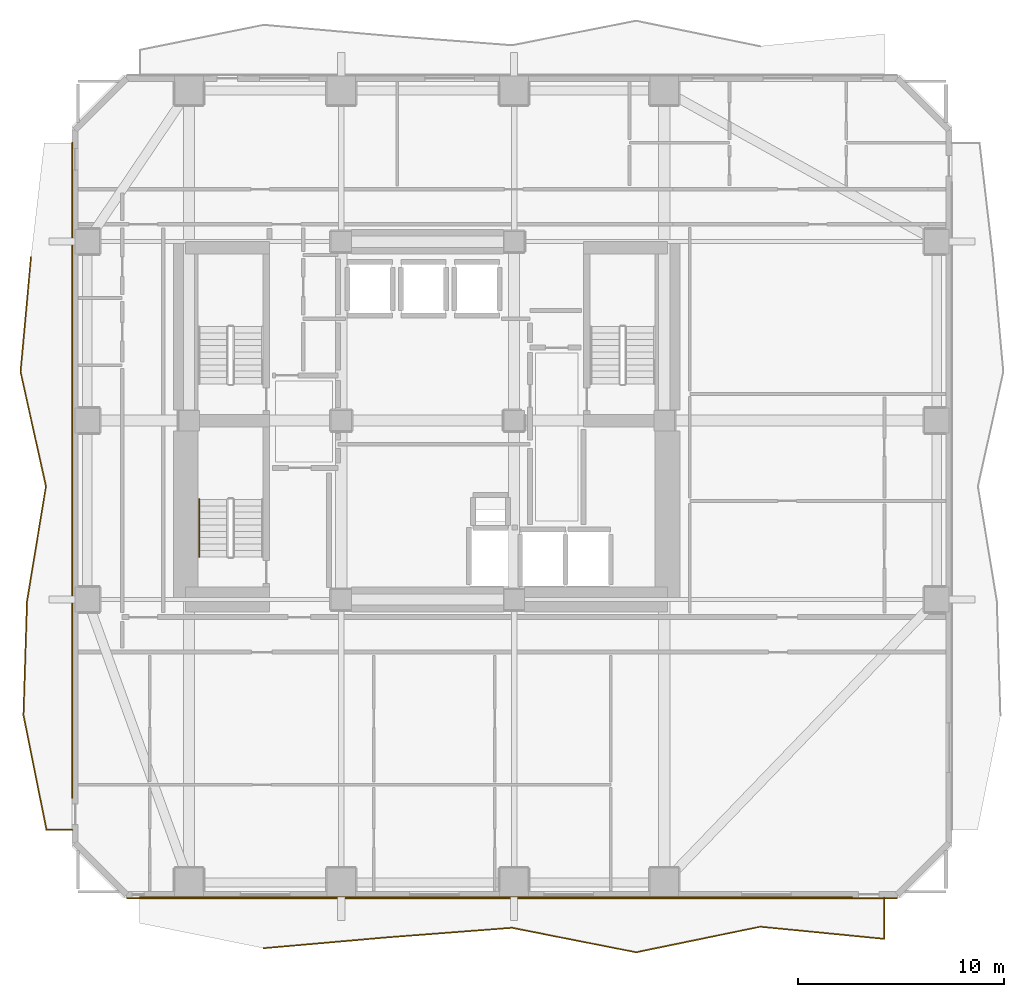
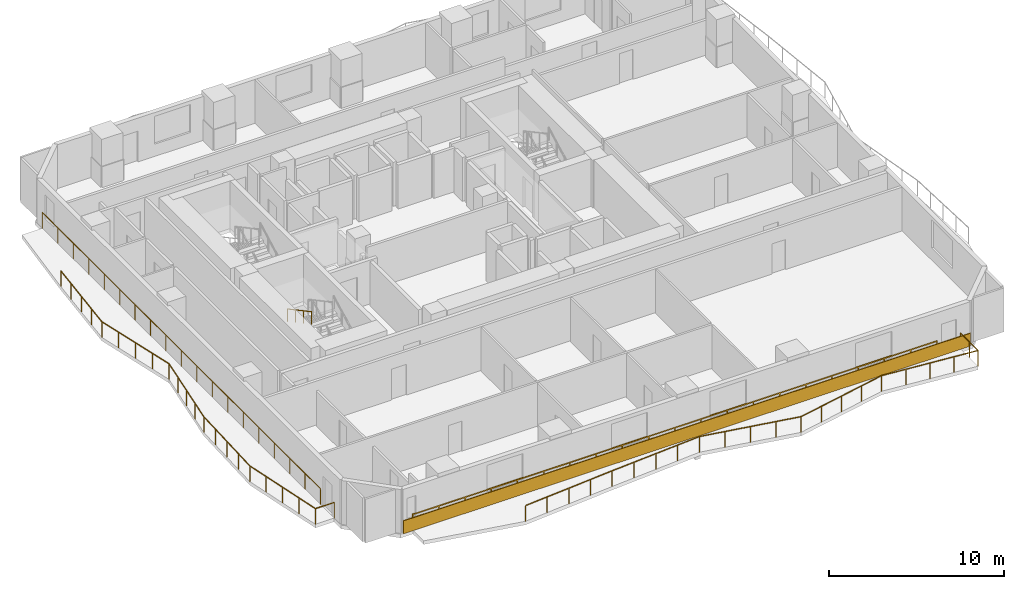
# One storey, part 7 of 9: 5 railings, 1 covering.
"""IFC4 building model written with IfcOpenShell, lengths in metres."""

from ifc_helpers import new_model, si_unit, direction, frame, frame_2d, origin, origin_2d, place, context, subcontext, project, spatial, rectangle, extrude, material, layer, layer_set, type_object, element, save


model = new_model("IFC4")

# Units and contexts
model_context = context("Model", 3, precision=1e-05, world=origin(), true_north=direction((0.0, 1.0)))
body_context = subcontext(model_context, "Body", "Model", "MODEL_VIEW")
ifc_project = project(units=[si_unit("LENGTHUNIT", "METRE"), si_unit("AREAUNIT", "SQUARE_METRE"), si_unit("VOLUMEUNIT", "CUBIC_METRE"), si_unit("PLANEANGLEUNIT", "RADIAN"), si_unit("MASSUNIT", "GRAM", prefix="KILO")], contexts=[model_context])

# Site, building, storey
site_placement = place(None, origin())
site = spatial("IfcSite", under=ifc_project, at=site_placement, CompositionType="ELEMENT")
building_placement = place(site_placement, origin())
building = spatial("IfcBuilding", under=site, at=building_placement, Name="Solanera Arch Residences", CompositionType="ELEMENT")
storey_placement = place(building_placement, frame((0.0, 0.0, 55.199951171875)))
storey = spatial("IfcBuildingStorey", under=building, at=storey_placement, Name="L15", CompositionType="ELEMENT", Elevation=55.199951171875)

# Railings
ifc_material_1 = material(Name="Steel S355 (ASTM A992 / A572 Grade 50)", Category="steel")
railing_type_1 = type_object("IfcRailingType", Name="Balustrade Railing BL-1100", PredefinedType="BALUSTRADE", material=ifc_material_1)
railing_1_placement = place(storey_placement, frame((17.032958984375, 5.051025390625, 0.0)))
element("IfcRailing", 1, at=railing_1_placement, inside=storey, type_object=railing_type_1, Name="L15 S Balcony Balustrade 1", PredefinedType="BALUSTRADE", context=body_context, shape_type="SweptSolid", body=[
    extrude(rectangle(XDim=0.048095703125, YDim=0.048095703125, at=origin_2d()), frame((0.0, 0.0, 1.09619140625), z_axis=(0.996192186057, 0.087184450675, 0.0), x_axis=(-0.087184450675, 0.996192186057, 0.0)), (0.0, 0.0, 1.0), 6.056884765625),
    extrude(rectangle(XDim=0.048095703125, YDim=0.048095703125, at=origin_2d()), frame((6.033935546875, 0.528076171875, 1.09619140625), z_axis=(0.997069655629, 0.076499031526, 0.0), x_axis=(-0.076499031526, 0.997069655629, 0.0)), (0.0, 0.0, 1.0), 6.051025390625),
    extrude(rectangle(XDim=0.048095703125, YDim=0.048095703125, at=origin_2d()), frame((12.067138671875, 0.990966796875, 1.09619140625), z_axis=(0.981067775795, -0.193664708443, 0.0), x_axis=(0.193664708443, 0.981067775795, 0.0)), (0.0, 0.0, 1.0), 6.1494140625),
    extrude(rectangle(XDim=0.048095703125, YDim=0.048095703125, at=origin_2d()), frame((18.10009765625, -0.199951171875, 1.09619140625), z_axis=(0.979436549393, 0.201752436697, 0.0), x_axis=(-0.201752436697, 0.979436549393, 0.0)), (0.0, 0.0, 1.0), 6.16064453125),
    extrude(rectangle(XDim=0.048095703125, YDim=0.048095703125, at=origin_2d()), frame((24.134033203125, 1.04296875, 1.09619140625), z_axis=(0.995250585259, -0.097346148054, 0.0), x_axis=(0.097346148054, 0.995250585259, 0.0)), (0.0, 0.0, 1.0), 6.061767578125),
    extrude(rectangle(XDim=0.048095703125, YDim=0.048095703125, at=origin_2d()), frame((30.1669921875, 0.452880859375, 1.09619140625), z_axis=(0.0, 1.0, 0.0), x_axis=(-1.0, 0.0, 0.0)), (0.0, 0.0, 1.0), 2.01611328125),
    extrude(rectangle(XDim=0.0419921875, YDim=0.0419921875, at=origin_2d()), origin(), (0.0, 0.0, 1.0), 1.072021484375),
    extrude(rectangle(XDim=0.0419921875, YDim=0.0419921875, at=origin_2d()), frame((1.508544921875, 0.132080078125, 0.0)), (0.0, 0.0, 1.0), 1.072021484375),
    extrude(rectangle(XDim=0.0419921875, YDim=0.0419921875, at=origin_2d()), frame((3.01708984375, 0.26416015625, 0.0)), (0.0, 0.0, 1.0), 1.072021484375),
    extrude(rectangle(XDim=0.0419921875, YDim=0.0419921875, at=origin_2d()), frame((4.525390625, 0.39599609375, 0.0)), (0.0, 0.0, 1.0), 1.072021484375),
    extrude(rectangle(XDim=0.0419921875, YDim=0.0419921875, at=origin_2d()), frame((6.033935546875, 0.528076171875, 0.0)), (0.0, 0.0, 1.0), 1.072021484375),
    extrude(rectangle(XDim=0.0419921875, YDim=0.0419921875, at=origin_2d()), frame((7.542236328125, 0.643798828125, 0.0)), (0.0, 0.0, 1.0), 1.072021484375),
    extrude(rectangle(XDim=0.0419921875, YDim=0.0419921875, at=origin_2d()), frame((9.050537109375, 0.759521484375, 0.0)), (0.0, 0.0, 1.0), 1.072021484375),
    extrude(rectangle(XDim=0.0419921875, YDim=0.0419921875, at=origin_2d()), frame((10.558837890625, 0.875244140625, 0.0)), (0.0, 0.0, 1.0), 1.072021484375),
    extrude(rectangle(XDim=0.0419921875, YDim=0.0419921875, at=origin_2d()), frame((12.067138671875, 0.990966796875, 0.0)), (0.0, 0.0, 1.0), 1.072021484375),
    extrude(rectangle(XDim=0.0419921875, YDim=0.0419921875, at=origin_2d()), frame((13.575439453125, 0.693359375, 0.0)), (0.0, 0.0, 1.0), 1.072021484375),
    extrude(rectangle(XDim=0.0419921875, YDim=0.0419921875, at=origin_2d()), frame((15.08349609375, 0.3955078125, 0.0)), (0.0, 0.0, 1.0), 1.072021484375),
    extrude(rectangle(XDim=0.0419921875, YDim=0.0419921875, at=origin_2d()), frame((16.591796875, 0.09765625, 0.0)), (0.0, 0.0, 1.0), 1.072021484375),
    extrude(rectangle(XDim=0.0419921875, YDim=0.0419921875, at=origin_2d()), frame((18.10009765625, -0.199951171875, 0.0)), (0.0, 0.0, 1.0), 1.072021484375),
    extrude(rectangle(XDim=0.0419921875, YDim=0.0419921875, at=origin_2d()), frame((19.608642578125, 0.11083984375, 0.0)), (0.0, 0.0, 1.0), 1.072021484375),
    extrude(rectangle(XDim=0.0419921875, YDim=0.0419921875, at=origin_2d()), frame((21.1171875, 0.42138671875, 0.0)), (0.0, 0.0, 1.0), 1.072021484375),
    extrude(rectangle(XDim=0.0419921875, YDim=0.0419921875, at=origin_2d()), frame((22.62548828125, 0.732177734375, 0.0)), (0.0, 0.0, 1.0), 1.072021484375),
    extrude(rectangle(XDim=0.0419921875, YDim=0.0419921875, at=origin_2d()), frame((24.134033203125, 1.04296875, 0.0)), (0.0, 0.0, 1.0), 1.072021484375),
    extrude(rectangle(XDim=0.0419921875, YDim=0.0419921875, at=origin_2d()), frame((25.642333984375, 0.8955078125, 0.0)), (0.0, 0.0, 1.0), 1.072021484375),
    extrude(rectangle(XDim=0.0419921875, YDim=0.0419921875, at=origin_2d()), frame((27.150390625, 0.748046875, 0.0)), (0.0, 0.0, 1.0), 1.072021484375),
    extrude(rectangle(XDim=0.0419921875, YDim=0.0419921875, at=origin_2d()), frame((28.65869140625, 0.600341796875, 0.0)), (0.0, 0.0, 1.0), 1.072021484375),
    extrude(rectangle(XDim=0.0419921875, YDim=0.0419921875, at=origin_2d()), frame((30.1669921875, 0.452880859375, 0.0)), (0.0, 0.0, 1.0), 1.072021484375),
    extrude(rectangle(XDim=0.0419921875, YDim=0.0419921875, at=origin_2d()), frame((30.1669921875, 1.4609375, 0.0)), (0.0, 0.0, 1.0), 1.072021484375),
    extrude(rectangle(XDim=0.0419921875, YDim=0.0419921875, at=origin_2d()), frame((30.1669921875, 2.468994140625, 0.0)), (0.0, 0.0, 1.0), 1.072021484375),
])
railing_2_placement = place(storey_placement, frame((45.634033203125, 7.52001953125, 0.0)))
element("IfcRailing", 2, at=railing_2_placement, inside=storey, type_object=railing_type_1, Name="L15 S Balcony Balustrade 2", PredefinedType="BALUSTRADE", context=body_context, shape_type="SweptSolid", body=[
    extrude(rectangle(XDim=0.048095703125, YDim=0.048095703125, at=origin_2d()), frame((0.0, 0.0, 1.09619140625), z_axis=(-1.0, 0.0, 0.0), x_axis=(0.0, -1.0, 0.0)), (0.0, 0.0, 1.0), 34.634033203125),
    extrude(rectangle(XDim=0.0419921875, YDim=0.0419921875, at=origin_2d()), origin(), (0.0, 0.0, 1.0), 1.072021484375),
    extrude(rectangle(XDim=0.0419921875, YDim=0.0419921875, at=origin_2d()), frame((-1.731689453125, 0.0, 0.0)), (0.0, 0.0, 1.0), 1.072021484375),
    extrude(rectangle(XDim=0.0419921875, YDim=0.0419921875, at=origin_2d()), frame((-3.46337890625, 0.0, 0.0)), (0.0, 0.0, 1.0), 1.072021484375),
    extrude(rectangle(XDim=0.0419921875, YDim=0.0419921875, at=origin_2d()), frame((-5.195068359375, 0.0, 0.0)), (0.0, 0.0, 1.0), 1.072021484375),
    extrude(rectangle(XDim=0.0419921875, YDim=0.0419921875, at=origin_2d()), frame((-6.9267578125, 0.0, 0.0)), (0.0, 0.0, 1.0), 1.072021484375),
    extrude(rectangle(XDim=0.0419921875, YDim=0.0419921875, at=origin_2d()), frame((-8.658447265625, 0.0, 0.0)), (0.0, 0.0, 1.0), 1.072021484375),
    extrude(rectangle(XDim=0.0419921875, YDim=0.0419921875, at=origin_2d()), frame((-10.39013671875, 0.0, 0.0)), (0.0, 0.0, 1.0), 1.072021484375),
    extrude(rectangle(XDim=0.0419921875, YDim=0.0419921875, at=origin_2d()), frame((-12.121826171875, 0.0, 0.0)), (0.0, 0.0, 1.0), 1.072021484375),
    extrude(rectangle(XDim=0.0419921875, YDim=0.0419921875, at=origin_2d()), frame((-13.853515625, 0.0, 0.0)), (0.0, 0.0, 1.0), 1.072021484375),
    extrude(rectangle(XDim=0.0419921875, YDim=0.0419921875, at=origin_2d()), frame((-15.585205078125, 0.0, 0.0)), (0.0, 0.0, 1.0), 1.072021484375),
    extrude(rectangle(XDim=0.0419921875, YDim=0.0419921875, at=origin_2d()), frame((-17.31689453125, 0.0, 0.0)), (0.0, 0.0, 1.0), 1.072021484375),
    extrude(rectangle(XDim=0.0419921875, YDim=0.0419921875, at=origin_2d()), frame((-19.048828125, 0.0, 0.0)), (0.0, 0.0, 1.0), 1.072021484375),
    extrude(rectangle(XDim=0.0419921875, YDim=0.0419921875, at=origin_2d()), frame((-20.780517578125, 0.0, 0.0)), (0.0, 0.0, 1.0), 1.072021484375),
    extrude(rectangle(XDim=0.0419921875, YDim=0.0419921875, at=origin_2d()), frame((-22.51220703125, 0.0, 0.0)), (0.0, 0.0, 1.0), 1.072021484375),
    extrude(rectangle(XDim=0.0419921875, YDim=0.0419921875, at=origin_2d()), frame((-24.243896484375, 0.0, 0.0)), (0.0, 0.0, 1.0), 1.072021484375),
    extrude(rectangle(XDim=0.0419921875, YDim=0.0419921875, at=origin_2d()), frame((-25.9755859375, 0.0, 0.0)), (0.0, 0.0, 1.0), 1.072021484375),
    extrude(rectangle(XDim=0.0419921875, YDim=0.0419921875, at=origin_2d()), frame((-27.707275390625, 0.0, 0.0)), (0.0, 0.0, 1.0), 1.072021484375),
    extrude(rectangle(XDim=0.0419921875, YDim=0.0419921875, at=origin_2d()), frame((-29.43896484375, 0.0, 0.0)), (0.0, 0.0, 1.0), 1.072021484375),
    extrude(rectangle(XDim=0.0419921875, YDim=0.0419921875, at=origin_2d()), frame((-31.170654296875, 0.0, 0.0)), (0.0, 0.0, 1.0), 1.072021484375),
    extrude(rectangle(XDim=0.0419921875, YDim=0.0419921875, at=origin_2d()), frame((-32.90234375, 0.0, 0.0)), (0.0, 0.0, 1.0), 1.072021484375),
    extrude(rectangle(XDim=0.0419921875, YDim=0.0419921875, at=origin_2d()), frame((-34.634033203125, 0.0, 0.0)), (0.0, 0.0, 1.0), 1.072021484375),
])
railing_3_placement = place(storey_placement, frame((5.714111328125, 38.633056640625, 0.0)))
element("IfcRailing", 3, at=railing_3_placement, inside=storey, type_object=railing_type_1, Name="L15 W Balcony Balustrade 1", PredefinedType="BALUSTRADE", context=body_context, shape_type="SweptSolid", body=[
    extrude(rectangle(XDim=0.048095703125, YDim=0.048095703125, at=origin_2d()), frame((0.0, 0.0, 1.09619140625), z_axis=(-0.090551499971, -0.995891774167, 0.0), x_axis=(0.995891774167, -0.090551499971, 0.0)), (0.0, 0.0, 1.0), 5.589111328125),
    extrude(rectangle(XDim=0.048095703125, YDim=0.048095703125, at=origin_2d()), frame((-0.506103515625, -5.566162109375, 1.09619140625), z_axis=(0.21659951299, -0.976260544615, 0.0), x_axis=(0.976260544615, 0.21659951299, 0.0)), (0.0, 0.0, 1.0), 5.7021484375),
    extrude(rectangle(XDim=0.048095703125, YDim=0.048095703125, at=origin_2d()), frame((0.72900390625, -11.133056640625, 1.09619140625), z_axis=(-0.163079729668, -0.986612893577, 0.0), x_axis=(0.986612893577, -0.163079729668, 0.0)), (0.0, 0.0, 1.0), 5.642333984375),
    extrude(rectangle(XDim=0.048095703125, YDim=0.048095703125, at=origin_2d()), frame((-0.191162109375, -16.699951171875, 1.09619140625), z_axis=(-0.03103903095, -0.9995181732, 0.0), x_axis=(0.9995181732, -0.03103903095, 0.0)), (0.0, 0.0, 1.0), 5.56884765625),
    extrude(rectangle(XDim=0.048095703125, YDim=0.048095703125, at=origin_2d()), frame((-0.364013671875, -22.26611328125, 1.09619140625), z_axis=(0.197215678316, -0.980360125783, 0.0), x_axis=(0.980360125783, 0.197215678316, 0.0)), (0.0, 0.0, 1.0), 5.678466796875),
    extrude(rectangle(XDim=0.048095703125, YDim=0.048095703125, at=origin_2d()), frame((0.755859375, -27.8330078125, 1.09619140625), z_axis=(1.0, 0.0, 0.0), x_axis=(0.0, 1.0, 0.0)), (0.0, 0.0, 1.0), 1.25),
    extrude(rectangle(XDim=0.0419921875, YDim=0.0419921875, at=origin_2d()), origin(), (0.0, 0.0, 1.0), 1.072021484375),
    extrude(rectangle(XDim=0.0419921875, YDim=0.0419921875, at=origin_2d()), frame((-0.12646484375, -1.3916015625, 0.0)), (0.0, 0.0, 1.0), 1.072021484375),
    extrude(rectangle(XDim=0.0419921875, YDim=0.0419921875, at=origin_2d()), frame((-0.2529296875, -2.783203125, 0.0)), (0.0, 0.0, 1.0), 1.072021484375),
    extrude(rectangle(XDim=0.0419921875, YDim=0.0419921875, at=origin_2d()), frame((-0.379638671875, -4.174560546875, 0.0)), (0.0, 0.0, 1.0), 1.072021484375),
    extrude(rectangle(XDim=0.0419921875, YDim=0.0419921875, at=origin_2d()), frame((-0.506103515625, -5.566162109375, 0.0)), (0.0, 0.0, 1.0), 1.072021484375),
    extrude(rectangle(XDim=0.0419921875, YDim=0.0419921875, at=origin_2d()), frame((-0.197265625, -6.9580078125, 0.0)), (0.0, 0.0, 1.0), 1.072021484375),
    extrude(rectangle(XDim=0.0419921875, YDim=0.0419921875, at=origin_2d()), frame((0.111328125, -8.349609375, 0.0)), (0.0, 0.0, 1.0), 1.072021484375),
    extrude(rectangle(XDim=0.0419921875, YDim=0.0419921875, at=origin_2d()), frame((0.420166015625, -9.7412109375, 0.0)), (0.0, 0.0, 1.0), 1.072021484375),
    extrude(rectangle(XDim=0.0419921875, YDim=0.0419921875, at=origin_2d()), frame((0.72900390625, -11.133056640625, 0.0)), (0.0, 0.0, 1.0), 1.072021484375),
    extrude(rectangle(XDim=0.0419921875, YDim=0.0419921875, at=origin_2d()), frame((0.4990234375, -12.52490234375, 0.0)), (0.0, 0.0, 1.0), 1.072021484375),
    extrude(rectangle(XDim=0.0419921875, YDim=0.0419921875, at=origin_2d()), frame((0.26904296875, -13.91650390625, 0.0)), (0.0, 0.0, 1.0), 1.072021484375),
    extrude(rectangle(XDim=0.0419921875, YDim=0.0419921875, at=origin_2d()), frame((0.038818359375, -15.30810546875, 0.0)), (0.0, 0.0, 1.0), 1.072021484375),
    extrude(rectangle(XDim=0.0419921875, YDim=0.0419921875, at=origin_2d()), frame((-0.191162109375, -16.699951171875, 0.0)), (0.0, 0.0, 1.0), 1.072021484375),
    extrude(rectangle(XDim=0.0419921875, YDim=0.0419921875, at=origin_2d()), frame((-0.234375, -18.091552734375, 0.0)), (0.0, 0.0, 1.0), 1.072021484375),
    extrude(rectangle(XDim=0.0419921875, YDim=0.0419921875, at=origin_2d()), frame((-0.277587890625, -19.48291015625, 0.0)), (0.0, 0.0, 1.0), 1.072021484375),
    extrude(rectangle(XDim=0.0419921875, YDim=0.0419921875, at=origin_2d()), frame((-0.32080078125, -20.87451171875, 0.0)), (0.0, 0.0, 1.0), 1.072021484375),
    extrude(rectangle(XDim=0.0419921875, YDim=0.0419921875, at=origin_2d()), frame((-0.364013671875, -22.26611328125, 0.0)), (0.0, 0.0, 1.0), 1.072021484375),
    extrude(rectangle(XDim=0.0419921875, YDim=0.0419921875, at=origin_2d()), frame((-0.083984375, -23.65771484375, 0.0)), (0.0, 0.0, 1.0), 1.072021484375),
    extrude(rectangle(XDim=0.0419921875, YDim=0.0419921875, at=origin_2d()), frame((0.19580078125, -25.049560546875, 0.0)), (0.0, 0.0, 1.0), 1.072021484375),
    extrude(rectangle(XDim=0.0419921875, YDim=0.0419921875, at=origin_2d()), frame((0.475830078125, -26.44140625, 0.0)), (0.0, 0.0, 1.0), 1.072021484375),
    extrude(rectangle(XDim=0.0419921875, YDim=0.0419921875, at=origin_2d()), frame((0.755859375, -27.8330078125, 0.0)), (0.0, 0.0, 1.0), 1.072021484375),
    extrude(rectangle(XDim=0.0419921875, YDim=0.0419921875, at=origin_2d()), frame((2.005859375, -27.8330078125, 0.0)), (0.0, 0.0, 1.0), 1.072021484375),
])
railing_4_placement = place(storey_placement, frame((7.719970703125, 12.365966796875, 0.0)))
element("IfcRailing", 4, at=railing_4_placement, inside=storey, type_object=railing_type_1, Name="L15 W Balcony Balustrade 2", PredefinedType="BALUSTRADE", context=body_context, shape_type="SweptSolid", body=[
    extrude(rectangle(XDim=0.048095703125, YDim=0.048095703125, at=origin_2d()), frame((0.0, 0.0, 1.09619140625), z_axis=(0.0, 1.0, 0.0), x_axis=(-1.0, 0.0, 0.0)), (0.0, 0.0, 1.0), 31.833984375),
    extrude(rectangle(XDim=0.0419921875, YDim=0.0419921875, at=origin_2d()), origin(), (0.0, 0.0, 1.0), 1.072021484375),
    extrude(rectangle(XDim=0.0419921875, YDim=0.0419921875, at=origin_2d()), frame((0.0, 1.7685546875, 0.0)), (0.0, 0.0, 1.0), 1.072021484375),
    extrude(rectangle(XDim=0.0419921875, YDim=0.0419921875, at=origin_2d()), frame((0.0, 3.537109375, 0.0)), (0.0, 0.0, 1.0), 1.072021484375),
    extrude(rectangle(XDim=0.0419921875, YDim=0.0419921875, at=origin_2d()), frame((0.0, 5.3056640625, 0.0)), (0.0, 0.0, 1.0), 1.072021484375),
    extrude(rectangle(XDim=0.0419921875, YDim=0.0419921875, at=origin_2d()), frame((0.0, 7.07421875, 0.0)), (0.0, 0.0, 1.0), 1.072021484375),
    extrude(rectangle(XDim=0.0419921875, YDim=0.0419921875, at=origin_2d()), frame((0.0, 8.8427734375, 0.0)), (0.0, 0.0, 1.0), 1.072021484375),
    extrude(rectangle(XDim=0.0419921875, YDim=0.0419921875, at=origin_2d()), frame((0.0, 10.611328125, 0.0)), (0.0, 0.0, 1.0), 1.072021484375),
    extrude(rectangle(XDim=0.0419921875, YDim=0.0419921875, at=origin_2d()), frame((0.0, 12.3798828125, 0.0)), (0.0, 0.0, 1.0), 1.072021484375),
    extrude(rectangle(XDim=0.0419921875, YDim=0.0419921875, at=origin_2d()), frame((0.0, 14.1484375, 0.0)), (0.0, 0.0, 1.0), 1.072021484375),
    extrude(rectangle(XDim=0.0419921875, YDim=0.0419921875, at=origin_2d()), frame((0.0, 15.9169921875, 0.0)), (0.0, 0.0, 1.0), 1.072021484375),
    extrude(rectangle(XDim=0.0419921875, YDim=0.0419921875, at=origin_2d()), frame((0.0, 17.685546875, 0.0)), (0.0, 0.0, 1.0), 1.072021484375),
    extrude(rectangle(XDim=0.0419921875, YDim=0.0419921875, at=origin_2d()), frame((0.0, 19.4541015625, 0.0)), (0.0, 0.0, 1.0), 1.072021484375),
    extrude(rectangle(XDim=0.0419921875, YDim=0.0419921875, at=origin_2d()), frame((0.0, 21.22265625, 0.0)), (0.0, 0.0, 1.0), 1.072021484375),
    extrude(rectangle(XDim=0.0419921875, YDim=0.0419921875, at=origin_2d()), frame((0.0, 22.9912109375, 0.0)), (0.0, 0.0, 1.0), 1.072021484375),
    extrude(rectangle(XDim=0.0419921875, YDim=0.0419921875, at=origin_2d()), frame((0.0, 24.759765625, 0.0)), (0.0, 0.0, 1.0), 1.072021484375),
    extrude(rectangle(XDim=0.0419921875, YDim=0.0419921875, at=origin_2d()), frame((0.0, 26.5283203125, 0.0)), (0.0, 0.0, 1.0), 1.072021484375),
    extrude(rectangle(XDim=0.0419921875, YDim=0.0419921875, at=origin_2d()), frame((0.0, 28.296875, 0.0)), (0.0, 0.0, 1.0), 1.072021484375),
    extrude(rectangle(XDim=0.0419921875, YDim=0.0419921875, at=origin_2d()), frame((0.0, 30.0654296875, 0.0)), (0.0, 0.0, 1.0), 1.072021484375),
    extrude(rectangle(XDim=0.0419921875, YDim=0.0419921875, at=origin_2d()), frame((0.0, 31.833984375, 0.0)), (0.0, 0.0, 1.0), 1.072021484375),
])

# Covering
ifc_material_2 = material(Name="Philippine Adobe Travertine Cladding", Category="masonry")
ifc_layer = layer(ifc_material_2, 0.06005859375)
ifc_layer_set = layer_set([ifc_layer], Name="Philippine Adobe Travertine Cladding")
covering_type = type_object("IfcCoveringType", Name="Precast Pier Stone Cladding CLD-60", PredefinedType="CLADDING", material=ifc_layer_set)
covering_placement = place(storey_placement, frame((47.8349609375, 7.485107421875, 0.0), z_axis=(0.0, 0.0, 1.0), x_axis=(-1.0, 0.0, 0.0)))
element("IfcCovering", 5, at=covering_placement, inside=storey, type_object=covering_type, Name="L15 S Precast Spandrel Stone Band", PredefinedType="CLADDING", context=body_context, shape_type="SweptSolid", body=[
    extrude(rectangle(XDim=37.469970703125, YDim=0.06005859375, at=frame_2d((18.73486328125, 0.0))), origin(), (0.0, 0.0, 1.0), 0.900146484375),
])

# Railing
ifc_material_3 = material(Name="Steel S355 (ASTM A992 / A572 Grade 50)", Category="steel")
railing_type_2 = type_object("IfcRailingType", Name="Stair Wall Handrail HR-920", PredefinedType="HANDRAIL", material=ifc_material_3)
railing_5_placement = place(storey_placement, frame((13.889892578125, 26.8701171875, 1.825927734375)))
element("IfcRailing", 6, at=railing_5_placement, inside=storey, type_object=railing_type_2, Name="L15 ST-T3 stair handrail 2", PredefinedType="HANDRAIL", context=body_context, shape_type="SweptSolid", body=[
    extrude(rectangle(XDim=0.048095703125, YDim=0.048095703125, at=origin_2d()), frame((0.0, 0.0, 0.8759765625), z_axis=(0.0, -0.881548766853, 0.472092969298), x_axis=(1.0, 0.0, 0.0)), (0.0, 0.0, 1.0), 3.1650390625),
    extrude(rectangle(XDim=0.0419921875, YDim=0.0419921875, at=origin_2d()), origin(), (0.0, 0.0, 1.0), 0.851806640625),
    extrude(rectangle(XDim=0.0419921875, YDim=0.0419921875, at=origin_2d()), frame((0.0, -0.929931640625, 0.498046875)), (0.0, 0.0, 1.0), 0.851806640625),
    extrude(rectangle(XDim=0.0419921875, YDim=0.0419921875, at=origin_2d()), frame((0.0, -1.860107421875, 0.99609375)), (0.0, 0.0, 1.0), 0.851806640625),
    extrude(rectangle(XDim=0.0419921875, YDim=0.0419921875, at=origin_2d()), frame((0.0, -2.7900390625, 1.494140625)), (0.0, 0.0, 1.0), 0.851806640625),
])

save(model, "model.ifc")
